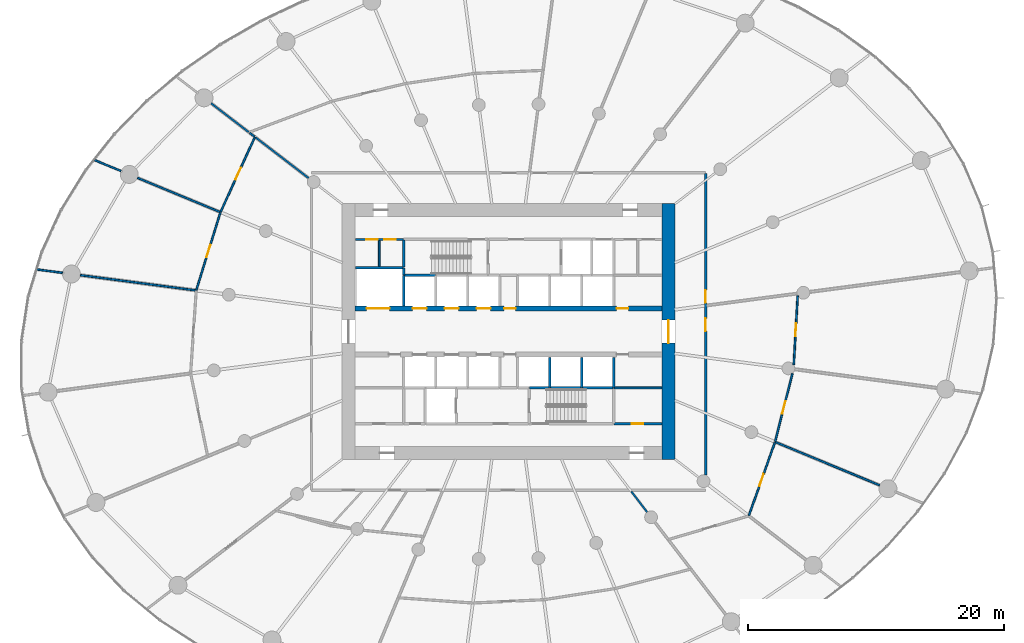
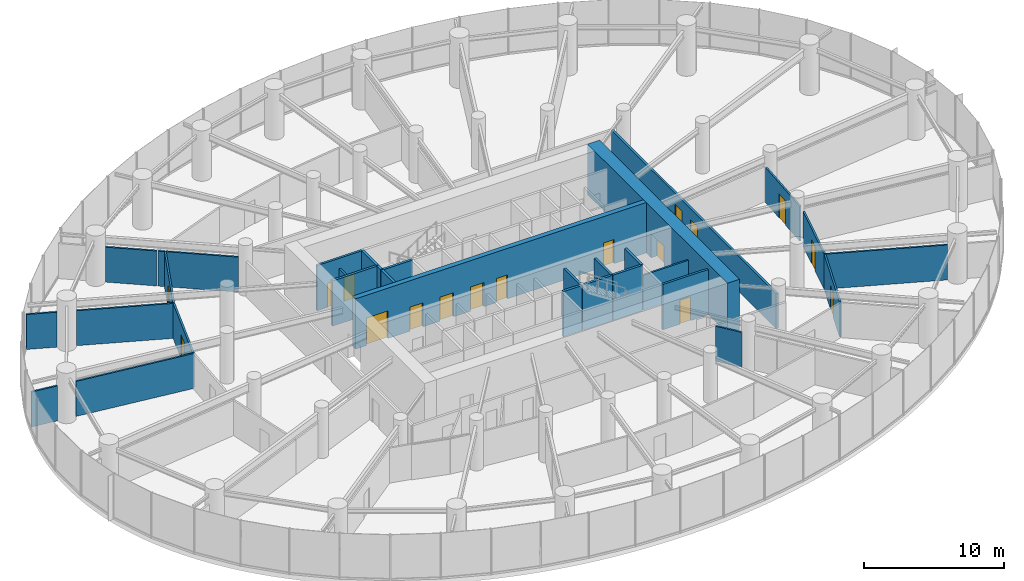
# One storey, part 14 of 19: 32 walls, 17 doors, 17 openings.
"""IFC4 building model written with IfcOpenShell, lengths in metres."""

import ifcopenshell
import ifcopenshell.guid

model = None  # the IFC model being written
_history = None  # IfcOwnerHistory: only IFC2X3 demands one
_inside = {}  # id of a spatial element -> (the spatial element, [elements in it])
_under = {}  # id of a project, library or spatial element -> (it, [spatial elements below it])
_declared = {}  # id of a project -> (the project, [libraries it declares])
_typed = {}  # id of a type object -> (the type object, [elements of that type])
_made_of = {}  # id of a material, layer set ... -> (it, [elements and type objects made of it])


def new_model(schema):
    """Start an empty IFC model of exactly this schema.

    Asked for "IFC4X3", IfcOpenShell would pick the latest addendum, in which some entities
    have other attributes; the version numbers below select the first issue.
    IFC2X3 requires an IfcOwnerHistory on every rooted entity: one is made here for all.
    """
    global model, _history
    if schema == "IFC4X3":
        model = ifcopenshell.file(schema_version=(4, 3, 0, 0))
    else:
        model = ifcopenshell.file(schema=schema)
    _inside.clear()
    _under.clear()
    _declared.clear()
    _typed.clear()
    _made_of.clear()
    _history = None
    if model.schema == "IFC2X3":
        org = make("IfcOrganization", Name="unknown")
        user = make(
            "IfcPersonAndOrganization",
            ThePerson=make("IfcPerson", FamilyName="unknown"),
            TheOrganization=org,
        )
        app = make(
            "IfcApplication",
            ApplicationDeveloper=org,
            Version="unknown",
            ApplicationFullName="unknown",
            ApplicationIdentifier="unknown",
        )
        _history = make(
            "IfcOwnerHistory",
            OwningUser=user,
            OwningApplication=app,
            ChangeAction="ADDED",
            CreationDate=0,
        )
    return model


def make(cls, **values):
    """One entity of the class cls with the attributes given. An attribute that is None is left unset."""
    return model.create_entity(
        cls, **{name: value for name, value in values.items() if value is not None}
    )


def rooted(cls, **values):
    """An entity with a GlobalId (a new one), such as an element, a storey or a relation."""
    return make(cls, GlobalId=ifcopenshell.guid.new(), OwnerHistory=_history, **values)


def si_unit(unit_type, name, prefix=None):
    """IfcSIUnit, for example si_unit("LENGTHUNIT", "METRE", prefix="MILLI")."""
    return make("IfcSIUnit", UnitType=unit_type, Prefix=prefix, Name=name)


def assignment(units):
    """IfcUnitAssignment: the units of a project."""
    return None if units is None else make("IfcUnitAssignment", Units=units)


def point(xyz):
    """IfcCartesianPoint."""
    return None if xyz is None else make("IfcCartesianPoint", Coordinates=xyz)


def direction(xyz):
    """IfcDirection."""
    return None if xyz is None else make("IfcDirection", DirectionRatios=xyz)


def frame(location, z_axis=None, x_axis=None):
    """IfcAxis2Placement3D, a coordinate frame: its origin and axes. An axis left out is left unset."""
    return make(
        "IfcAxis2Placement3D",
        Location=point(location),
        Axis=direction(z_axis),
        RefDirection=direction(x_axis),
    )


def frame_2d(location, x_axis=None):
    """IfcAxis2Placement2D, a coordinate frame in the plane: its origin and x axis."""
    return make(
        "IfcAxis2Placement2D", Location=point(location), RefDirection=direction(x_axis)
    )


def origin():
    """The frame at (0, 0, 0) with its axes left unset."""
    return frame((0.0, 0.0, 0.0))


def place(relative_to, where):
    """IfcLocalPlacement: puts the frame where relative to a parent placement (None: the world)."""
    return make(
        "IfcLocalPlacement", PlacementRelTo=relative_to, RelativePlacement=where
    )


def context(
    kind, dimensions, precision=None, world=None, true_north=None, identifier=None
):
    """IfcGeometricRepresentationContext, for example the 3D "Model" context."""
    return make(
        "IfcGeometricRepresentationContext",
        ContextIdentifier=identifier,
        ContextType=kind,
        CoordinateSpaceDimension=dimensions,
        Precision=precision,
        WorldCoordinateSystem=world,
        TrueNorth=true_north,
    )


def subcontext(parent, identifier, kind, view, scale=None):
    """IfcGeometricRepresentationSubContext, for example "Body" below "Model"."""
    return make(
        "IfcGeometricRepresentationSubContext",
        ContextIdentifier=identifier,
        ContextType=kind,
        ParentContext=parent,
        TargetScale=scale,
        TargetView=view,
    )


def project(units=None, contexts=None):
    """IfcProject with its units and contexts."""
    return rooted(
        "IfcProject",
        Name="project",
        RepresentationContexts=contexts,
        UnitsInContext=assignment(units),
    )


def spatial(cls, under=None, at=None, **own):
    """A site, building, storey or space (cls), placed at a placement, below another one or the project."""
    s = rooted(cls, ObjectPlacement=at, **own)
    if under is not None:
        _under.setdefault(under.id(), (under, []))[1].append(s)
    return s


def profile(cls, at=None, kind="AREA", **sizes):
    """A parametric profile (cls). Its sizes go by their IFC names, for example OverallWidth=200.0."""
    return make(cls, ProfileType=kind, Position=at, **sizes)


def rectangle(**sizes):
    """IfcRectangleProfileDef."""
    return profile("IfcRectangleProfileDef", **sizes)


def extrude(swept, where, along, depth):
    """IfcExtrudedAreaSolid: the profile swept, set in the frame where, extruded along a direction by depth."""
    return make(
        "IfcExtrudedAreaSolid",
        SweptArea=swept,
        Position=where,
        ExtrudedDirection=direction(along),
        Depth=depth,
    )


def shape(context_of_items, identifier, shape_type, items):
    """IfcShapeRepresentation: the items that make up one representation, for example the "Body"."""
    return make(
        "IfcShapeRepresentation",
        ContextOfItems=context_of_items,
        RepresentationIdentifier=identifier,
        RepresentationType=shape_type,
        Items=items,
    )


def source(mapping_origin, context_of_items, identifier, shape_type, items):
    """IfcRepresentationMap: a shape defined once, which mapped items show again and again."""
    return make(
        "IfcRepresentationMap",
        MappingOrigin=mapping_origin,
        MappedRepresentation=shape(context_of_items, identifier, shape_type, items),
    )


def transform(
    local_origin,
    x_axis=None,
    y_axis=None,
    z_axis=None,
    scale=None,
    scale2=None,
    scale3=None,
    uniform=True,
):
    """IfcCartesianTransformationOperator3D, or its non-uniform kind. x_axis, y_axis, z_axis: its Axis1, 2, 3."""
    if uniform:
        return make(
            "IfcCartesianTransformationOperator3D",
            Axis1=direction(x_axis),
            Axis2=direction(y_axis),
            LocalOrigin=point(local_origin),
            Scale=scale,
            Axis3=direction(z_axis),
        )
    return make(
        "IfcCartesianTransformationOperator3DnonUniform",
        Axis1=direction(x_axis),
        Axis2=direction(y_axis),
        LocalOrigin=point(local_origin),
        Scale=scale,
        Axis3=direction(z_axis),
        Scale2=scale2,
        Scale3=scale3,
    )


def mapped(mapping_source, mapping_target):
    """IfcMappedItem: shows the shape of a source again, moved by a transform."""
    return make(
        "IfcMappedItem", MappingSource=mapping_source, MappingTarget=mapping_target
    )


def material(Name=None, Category=None):
    """IfcMaterial."""
    return make("IfcMaterial", Name=Name, Category=Category)


def layer(
    of_material, thickness, ventilated=None, Name=None, Category=None, Priority=None
):
    """IfcMaterialLayer: one layer of a wall or slab, of a material (None: an air gap)."""
    return make(
        "IfcMaterialLayer",
        Material=of_material,
        LayerThickness=thickness,
        IsVentilated=ventilated,
        Name=Name,
        Category=Category,
        Priority=Priority,
    )


def layer_set(layers, Name=None):
    """IfcMaterialLayerSet."""
    return make("IfcMaterialLayerSet", MaterialLayers=layers, LayerSetName=Name)


def made_of(thing, what):
    """Note that an element or type object is made of a material, layer set ...; save() writes the relation."""
    if what is not None:
        _made_of.setdefault(what.id(), (what, []))[1].append(thing)
    return thing


def type_object(cls, material=None, **own):
    """A type object (cls), such as IfcWallType, which elements share."""
    return made_of(rooted(cls, **own), material)


def element(
    cls,
    number,
    at=None,
    inside=None,
    cuts=None,
    type_object=None,
    material=None,
    context=None,
    identifier="Body",
    shape_type=None,
    held_by="IfcProductDefinitionShape",
    body=None,
    shapes=None,
    **own,
):
    """One element of the class cls, such as IfcWall. Its Tag is "e" and its number.

    at: its placement. inside: the storey or other place that contains it. cuts: it is an
    opening in that element (IfcRelVoidsElement). A single representation is given by context,
    identifier, shape_type and body (its items); several are given by shapes. held_by: the class
    of the entity that holds the representations. save() writes the other relations.
    """
    e = rooted(cls, Tag="e%d" % number, ObjectPlacement=at, **own)
    if body is not None:
        shapes = [shape(context, identifier, shape_type, body)]
    if shapes is not None:
        e.Representation = make(held_by, Representations=shapes)
    if inside is not None:
        _inside.setdefault(inside.id(), (inside, []))[1].append(e)
    if cuts is not None:
        rooted(
            "IfcRelVoidsElement", RelatingBuildingElement=cuts, RelatedOpeningElement=e
        )
    if type_object is not None:
        _typed.setdefault(type_object.id(), (type_object, []))[1].append(e)
    return made_of(e, material)


def fill(opening, filler):
    """IfcRelFillsElement: the door or window that sits in an opening."""
    return rooted(
        "IfcRelFillsElement",
        RelatingOpeningElement=opening,
        RelatedBuildingElement=filler,
    )


def aggregate(whole, parts):
    """IfcRelAggregates: a whole, such as a stair, and the parts it consists of."""
    return rooted("IfcRelAggregates", RelatingObject=whole, RelatedObjects=parts)


def save(model, path):
    """Write the relations noted so far, then the file.

    IfcRelAggregates (storeys below a building ...), IfcRelContainedInSpatialStructure (elements
    in a storey), IfcRelDefinesByType, IfcRelAssociatesMaterial and IfcRelDeclares: one each for
    every whole, place, type object, material and project.
    """
    for whole, parts in _under.values():
        aggregate(whole, parts)
    for where, things in _inside.values():
        rooted(
            "IfcRelContainedInSpatialStructure",
            RelatedElements=things,
            RelatingStructure=where,
        )
    for kind, things in _typed.values():
        rooted("IfcRelDefinesByType", RelatedObjects=things, RelatingType=kind)
    for what, things in _made_of.values():
        rooted("IfcRelAssociatesMaterial", RelatedObjects=things, RelatingMaterial=what)
    for by, libraries in _declared.values():
        rooted("IfcRelDeclares", RelatingContext=by, RelatedDefinitions=libraries)
    model.write(path)


model = new_model("IFC4")

# Units and contexts
model_context = context("Model", 3, precision=1e-05, world=origin(), true_north=direction((0.0, 1.0)))
body_context = subcontext(model_context, "Body", "Model", "MODEL_VIEW")
ifc_project = project(units=[si_unit("LENGTHUNIT", "METRE"), si_unit("AREAUNIT", "SQUARE_METRE"), si_unit("VOLUMEUNIT", "CUBIC_METRE"), si_unit("PLANEANGLEUNIT", "RADIAN"), si_unit("MASSUNIT", "GRAM", prefix="KILO")], contexts=[model_context])

# Site, building, storey
site_placement = place(None, origin())
site = spatial("IfcSite", under=ifc_project, at=site_placement, CompositionType="ELEMENT")
building_placement = place(site_placement, origin())
building = spatial("IfcBuilding", under=site, at=building_placement, Name="Spindrift Exchange Tower", CompositionType="ELEMENT")
storey_placement = place(building_placement, frame((0.0, 0.0, 44.60009765625)))
storey = spatial("IfcBuildingStorey", under=building, at=storey_placement, Name="L10", CompositionType="ELEMENT", Elevation=44.60009765625)

# Wall, opening, door
ifc_material_1 = material(Name="Concrete 80 MPa", Category="concrete")
ifc_layer_1 = layer(ifc_material_1, 1.0)
ifc_layer_set_1 = layer_set([ifc_layer_1], Name="RC Core Wall 1000 Concrete 80 MPa")
wall_type_1 = type_object("IfcWallType", Name="RC Core Wall 1000 Concrete 80 MPa", PredefinedType="SHEAR", material=ifc_layer_set_1)
wall_1_placement = place(storey_placement, frame((64.5, 38.0, 0.0), z_axis=(0.0, 0.0, 1.0), x_axis=(0.0, 1.0, 0.0)))
wall_1 = element("IfcWall", 1, at=wall_1_placement, inside=storey, type_object=wall_type_1, Name="Core wall E L10", PredefinedType="SHEAR", context=body_context, shape_type="SweptSolid", body=[
    extrude(rectangle(XDim=20.0, YDim=1.0, at=frame_2d((10.0, 0.0))), origin(), (0.0, 0.0, 1.0), 4.39990234375),
])
opening_1_placement = place(wall_1_placement, frame((9.10009765625, 0.0, 0.0)))
opening_1 = element("IfcOpeningElement", 2, at=opening_1_placement, cuts=wall_1, Name="Opening L10-D2", PredefinedType="OPENING", context=body_context, shape_type="SweptSolid", body=[
    extrude(rectangle(XDim=1.800048828125, YDim=2.10009765625, at=frame_2d((0.89990234375, 1.050048828125))), frame((0.0, 0.510009765625, 0.0), z_axis=(0.0, -1.0, 0.0), x_axis=(1.0, 0.0, 0.0)), (0.0, 0.0, 1.0), 1.02001953125),
])
ifc_material_2 = material(Name="Timber-core fire door", Category="wood")
door_type_1 = type_object("IfcDoorType", Name="DR-LOBBY-1800", OperationType="NOTDEFINED", PredefinedType="DOOR", material=ifc_material_2)
shared_shape_1 = source(origin(), body_context, "Body", "SweptSolid", [
    extrude(rectangle(XDim=1.800048828125, YDim=2.10009765625, at=frame_2d((0.89990234375, 1.050048828125))), frame((0.0, 0.02490234375, 0.0), z_axis=(0.0, -1.0, 0.0), x_axis=(1.0, 0.0, 0.0)), (0.0, 0.0, 1.0), 0.050048828125),
])
door_1_placement = place(opening_1_placement, origin())
door_1 = element("IfcDoor", 3, at=door_1_placement, inside=storey, type_object=door_type_1, Name="L10 Lobby door 2", OperationType="SINGLE_SWING_LEFT", OverallHeight=2.10009765625, OverallWidth=1.800048828125, PredefinedType="DOOR", context=body_context, shape_type="MappedRepresentation", body=[
    mapped(shared_shape_1, transform((0.0, 0.0, 0.0), scale=1.0)),
])
fill(opening_1, door_1)

# Wall, openings, doors
ifc_layer_2 = layer(ifc_material_1, 0.39990234375)
ifc_layer_set_2 = layer_set([ifc_layer_2], Name="RC Spine Wall 400 Concrete 80 MPa")
wall_type_2 = type_object("IfcWallType", Name="RC Spine Wall 400 Concrete 80 MPa", PredefinedType="SHEAR", material=ifc_layer_set_2)
wall_2_placement = place(storey_placement, frame((40.0, 49.800048828125, 0.0), z_axis=(0.0, 0.0, 1.0), x_axis=(1.0, 0.0, 0.0)))
wall_2 = element("IfcWall", 4, at=wall_2_placement, inside=storey, type_object=wall_type_2, Name="Core spine wall N L10", PredefinedType="SHEAR", context=body_context, shape_type="SweptSolid", body=[
    extrude(rectangle(XDim=24.0, YDim=0.39990234375, at=frame_2d((12.0, 0.0))), origin(), (0.0, 0.0, 1.0), 4.39990234375),
])
opening_2_placement = place(wall_2_placement, frame((4.5, 0.0, 0.0)))
opening_2 = element("IfcOpeningElement", 5, at=opening_2_placement, cuts=wall_2, Name="Opening L10-D3", PredefinedType="OPENING", context=body_context, shape_type="SweptSolid", body=[
    extrude(rectangle(XDim=1.10009765625, YDim=2.10009765625, at=frame_2d((0.550048828125, 1.050048828125))), frame((0.0, 0.2099609375, 0.0), z_axis=(0.0, -1.0, 0.0), x_axis=(1.0, 0.0, 0.0)), (0.0, 0.0, 1.0), 0.419921875),
])
opening_3_placement = place(wall_2_placement, frame((7.0, 0.0, 0.0)))
opening_3 = element("IfcOpeningElement", 6, at=opening_3_placement, cuts=wall_2, Name="Opening L10-D4", PredefinedType="OPENING", context=body_context, shape_type="SweptSolid", body=[
    extrude(rectangle(XDim=1.10009765625, YDim=2.10009765625, at=frame_2d((0.550048828125, 1.050048828125))), frame((0.0, 0.2099609375, 0.0), z_axis=(0.0, -1.0, 0.0), x_axis=(1.0, 0.0, 0.0)), (0.0, 0.0, 1.0), 0.419921875),
])
opening_4_placement = place(wall_2_placement, frame((9.5, 0.0, 0.0)))
opening_4 = element("IfcOpeningElement", 7, at=opening_4_placement, cuts=wall_2, Name="Opening L10-D5", PredefinedType="OPENING", context=body_context, shape_type="SweptSolid", body=[
    extrude(rectangle(XDim=1.10009765625, YDim=2.10009765625, at=frame_2d((0.550048828125, 1.050048828125))), frame((0.0, 0.2099609375, 0.0), z_axis=(0.0, -1.0, 0.0), x_axis=(1.0, 0.0, 0.0)), (0.0, 0.0, 1.0), 0.419921875),
])
opening_5_placement = place(wall_2_placement, frame((0.89990234375, 0.0, 0.0)))
opening_5 = element("IfcOpeningElement", 8, at=opening_5_placement, cuts=wall_2, Name="Opening L10-D12", PredefinedType="OPENING", context=body_context, shape_type="SweptSolid", body=[
    extrude(rectangle(XDim=1.800048828125, YDim=2.39990234375, at=frame_2d((0.89990234375, 1.199951171875))), frame((0.0, 0.2099609375, 0.0), z_axis=(0.0, -1.0, 0.0), x_axis=(1.0, 0.0, 0.0)), (0.0, 0.0, 1.0), 0.419921875),
])
opening_6_placement = place(wall_2_placement, frame((20.449951171875, 0.0, 0.0)))
opening_6 = element("IfcOpeningElement", 9, at=opening_6_placement, cuts=wall_2, Name="Opening L10-D50", PredefinedType="OPENING", context=body_context, shape_type="SweptSolid", body=[
    extrude(rectangle(XDim=0.89990234375, YDim=2.10009765625, at=frame_2d((0.449951171875, 1.050048828125))), frame((0.0, 0.2099609375, 0.0), z_axis=(0.0, -1.0, 0.0), x_axis=(1.0, 0.0, 0.0)), (0.0, 0.0, 1.0), 0.419921875),
])
opening_7_placement = place(wall_2_placement, frame((11.64990234375, 0.0, 0.0)))
opening_7 = element("IfcOpeningElement", 10, at=opening_7_placement, cuts=wall_2, Name="Opening L10-D55", PredefinedType="OPENING", context=body_context, shape_type="SweptSolid", body=[
    extrude(rectangle(XDim=0.89990234375, YDim=2.10009765625, at=frame_2d((0.449951171875, 1.050048828125))), frame((0.0, 0.2099609375, 0.0), z_axis=(0.0, -1.0, 0.0), x_axis=(1.0, 0.0, 0.0)), (0.0, 0.0, 1.0), 0.419921875),
])
ifc_material_3 = material(Name="Stainless steel landing door", Category="steel")
door_type_2 = type_object("IfcDoorType", Name="DR-LANDING-1100-SL", OperationType="DOUBLE_DOOR_SLIDING", PredefinedType="USERDEFINED", material=ifc_material_3)
shared_shape_2 = source(origin(), body_context, "Body", "SweptSolid", [
    extrude(rectangle(XDim=1.10009765625, YDim=2.10009765625, at=frame_2d((0.550048828125, 1.050048828125))), frame((0.0, 0.02490234375, 0.0), z_axis=(0.0, -1.0, 0.0), x_axis=(1.0, 0.0, 0.0)), (0.0, 0.0, 1.0), 0.050048828125),
])
door_2_placement = place(opening_2_placement, origin())
door_2 = element("IfcDoor", 11, at=door_2_placement, inside=storey, type_object=door_type_2, Name="L10 Lift landing door 3", ObjectType="LANDING DOOR", OperationType="DOUBLE_DOOR_SLIDING", OverallHeight=2.10009765625, OverallWidth=1.10009765625, PredefinedType="USERDEFINED", context=body_context, shape_type="MappedRepresentation", body=[
    mapped(shared_shape_2, transform((0.0, 0.0, 0.0), scale=1.0)),
])
fill(opening_2, door_2)
door_3_placement = place(opening_3_placement, origin())
door_3 = element("IfcDoor", 12, at=door_3_placement, inside=storey, type_object=door_type_2, Name="L10 Lift landing door 4", ObjectType="LANDING DOOR", OperationType="DOUBLE_DOOR_SLIDING", OverallHeight=2.10009765625, OverallWidth=1.10009765625, PredefinedType="USERDEFINED", context=body_context, shape_type="MappedRepresentation", body=[
    mapped(shared_shape_2, transform((0.0, 0.0, 0.0), scale=1.0)),
])
fill(opening_3, door_3)
door_4_placement = place(opening_4_placement, origin())
door_4 = element("IfcDoor", 13, at=door_4_placement, inside=storey, type_object=door_type_2, Name="L10 Lift landing door 5", ObjectType="LANDING DOOR", OperationType="DOUBLE_DOOR_SLIDING", OverallHeight=2.10009765625, OverallWidth=1.10009765625, PredefinedType="USERDEFINED", context=body_context, shape_type="MappedRepresentation", body=[
    mapped(shared_shape_2, transform((0.0, 0.0, 0.0), scale=1.0)),
])
fill(opening_4, door_4)
door_type_3 = type_object("IfcDoorType", Name="DR-LANDING-1800-SL", OperationType="DOUBLE_DOOR_SLIDING", PredefinedType="USERDEFINED", material=ifc_material_3)
shared_shape_3 = source(origin(), body_context, "Body", "SweptSolid", [
    extrude(rectangle(XDim=1.800048828125, YDim=2.39990234375, at=frame_2d((0.89990234375, 1.199951171875))), frame((0.0, 0.02490234375, 0.0), z_axis=(0.0, -1.0, 0.0), x_axis=(1.0, 0.0, 0.0)), (0.0, 0.0, 1.0), 0.050048828125),
])
door_5_placement = place(opening_5_placement, origin())
door_5 = element("IfcDoor", 14, at=door_5_placement, inside=storey, type_object=door_type_3, Name="L10 Lift landing door 12", ObjectType="LANDING DOOR", OperationType="DOUBLE_DOOR_SLIDING", OverallHeight=2.39990234375, OverallWidth=1.800048828125, PredefinedType="USERDEFINED", context=body_context, shape_type="MappedRepresentation", body=[
    mapped(shared_shape_3, transform((0.0, 0.0, 0.0), scale=1.0)),
])
fill(opening_5, door_5)
ifc_material_4 = material(Name="Steel access door", Category="steel")
door_type_4 = type_object("IfcDoorType", Name="DR-RISER-900", OperationType="NOTDEFINED", PredefinedType="DOOR", material=ifc_material_4)
shared_shape_4 = source(origin(), body_context, "Body", "SweptSolid", [
    extrude(rectangle(XDim=0.89990234375, YDim=2.10009765625, at=frame_2d((0.449951171875, 1.050048828125))), frame((0.0, 0.02490234375, 0.0), z_axis=(0.0, -1.0, 0.0), x_axis=(1.0, 0.0, 0.0)), (0.0, 0.0, 1.0), 0.050048828125),
])
door_6_placement = place(opening_6_placement, origin())
door_6 = element("IfcDoor", 15, at=door_6_placement, inside=storey, type_object=door_type_4, Name="L10 Riser door 50", OperationType="SINGLE_SWING_LEFT", OverallHeight=2.10009765625, OverallWidth=0.89990234375, PredefinedType="DOOR", context=body_context, shape_type="MappedRepresentation", body=[
    mapped(shared_shape_4, transform((0.0, 0.0, 0.0), scale=1.0)),
])
fill(opening_6, door_6)
door_7_placement = place(opening_7_placement, origin())
door_7 = element("IfcDoor", 16, at=door_7_placement, inside=storey, type_object=door_type_4, Name="L10 Riser door 55", OperationType="SINGLE_SWING_RIGHT", OverallHeight=2.10009765625, OverallWidth=0.89990234375, PredefinedType="DOOR", context=body_context, shape_type="MappedRepresentation", body=[
    mapped(shared_shape_4, transform((0.0, 0.0, 0.0), scale=1.0)),
])
fill(opening_7, door_7)

ifc_material_5 = material(Name="Fire-rated plasterboard partition", Category="gypsum")
ifc_layer_3 = layer(ifc_material_5, 0.179931640625)
ifc_layer_set_3 = layer_set([ifc_layer_3], Name="W-CORR-180")
wall_type_3 = type_object("IfcWallType", Name="W-CORR-180", PredefinedType="PARTITIONING", material=ifc_layer_set_3)
wall_3_placement = place(storey_placement, frame((67.39990234375, 60.3701171875, 0.0), z_axis=(0.0, 0.0, 1.0), x_axis=(0.0, -1.0, 0.0)))
wall_3 = element("IfcWall", 17, at=wall_3_placement, inside=storey, type_object=wall_type_3, Name="L10 Partition wall 59", PredefinedType="PARTITIONING", context=body_context, shape_type="SweptSolid", body=[
    extrude(rectangle(XDim=23.58251953125, YDim=0.179931640625, at=frame_2d((11.791259765625, 0.0))), origin(), (0.0, 0.0, 1.0), 3.0498046875),
])
opening_8_placement = place(wall_3_placement, frame((11.33251953125, 0.0, 0.0)))
opening_8 = element("IfcOpeningElement", 18, at=opening_8_placement, cuts=wall_3, Name="Opening L10-D30", PredefinedType="OPENING", context=body_context, shape_type="SweptSolid", body=[
    extrude(rectangle(XDim=1.0, YDim=2.10009765625, at=frame_2d((0.5, 1.050048828125))), frame((0.0, 0.099853515625, 0.0), z_axis=(0.0, -1.0, 0.0), x_axis=(1.0, 0.0, 0.0)), (0.0, 0.0, 1.0), 0.199951171875),
])
opening_9_placement = place(wall_3_placement, frame((9.132568359375, 0.0, 0.0)))
opening_9 = element("IfcOpeningElement", 19, at=opening_9_placement, cuts=wall_3, Name="Opening L10-D35", PredefinedType="OPENING", context=body_context, shape_type="SweptSolid", body=[
    extrude(rectangle(XDim=1.0, YDim=2.10009765625, at=frame_2d((0.5, 1.050048828125))), frame((0.0, 0.099853515625, 0.0), z_axis=(0.0, -1.0, 0.0), x_axis=(1.0, 0.0, 0.0)), (0.0, 0.0, 1.0), 0.199951171875),
])
door_type_5 = type_object("IfcDoorType", Name="DR-ROOM-1000", OperationType="NOTDEFINED", PredefinedType="DOOR", material=ifc_material_2)
shared_shape_5 = source(origin(), body_context, "Body", "SweptSolid", [
    extrude(rectangle(XDim=1.0, YDim=2.10009765625, at=frame_2d((0.5, 1.050048828125))), frame((0.0, 0.02490234375, 0.0), z_axis=(0.0, -1.0, 0.0), x_axis=(1.0, 0.0, 0.0)), (0.0, 0.0, 1.0), 0.050048828125),
])
door_8_placement = place(opening_8_placement, origin())
door_8 = element("IfcDoor", 20, at=door_8_placement, inside=storey, type_object=door_type_5, Name="L10 Door 30", OperationType="SINGLE_SWING_LEFT", OverallHeight=2.10009765625, OverallWidth=1.0, PredefinedType="DOOR", context=body_context, shape_type="MappedRepresentation", body=[
    mapped(shared_shape_5, transform((0.0, 0.0, 0.0), scale=1.0)),
])
fill(opening_8, door_8)
door_9_placement = place(opening_9_placement, origin())
door_9 = element("IfcDoor", 21, at=door_9_placement, inside=storey, type_object=door_type_5, Name="L10 Door 35", OperationType="SINGLE_SWING_RIGHT", OverallHeight=2.10009765625, OverallWidth=1.0, PredefinedType="DOOR", context=body_context, shape_type="MappedRepresentation", body=[
    mapped(shared_shape_5, transform((0.0, 0.0, 0.0), scale=1.0)),
])
fill(opening_9, door_9)

wall_4_placement = place(storey_placement, frame((43.77001953125, 55.199951171875, 0.0), z_axis=(0.0, 0.0, 1.0), x_axis=(-1.0, 0.0, 0.0)))
wall_4 = element("IfcWall", 22, at=wall_4_placement, inside=storey, type_object=wall_type_3, Name="L10 Partition wall 62", PredefinedType="PARTITIONING", context=body_context, shape_type="SweptSolid", body=[
    extrude(rectangle(XDim=3.75, YDim=0.179931640625, at=frame_2d((1.875, 0.0))), origin(), (0.0, 0.0, 1.0), 3.949951171875),
])
opening_10_placement = place(wall_4_placement, frame((2.0, 0.0, 0.0)))
opening_10 = element("IfcOpeningElement", 23, at=opening_10_placement, cuts=wall_4, Name="Opening L10-D46", PredefinedType="OPENING", context=body_context, shape_type="SweptSolid", body=[
    extrude(rectangle(XDim=0.89990234375, YDim=2.10009765625, at=frame_2d((0.449951171875, 1.050048828125))), frame((0.0, 0.099853515625, 0.0), z_axis=(0.0, -1.0, 0.0), x_axis=(1.0, 0.0, 0.0)), (0.0, 0.0, 1.0), 0.199951171875),
])
opening_11_placement = place(wall_4_placement, frame((0.60009765625, 0.0, 0.0)))
opening_11 = element("IfcOpeningElement", 24, at=opening_11_placement, cuts=wall_4, Name="Opening L10-D47", PredefinedType="OPENING", context=body_context, shape_type="SweptSolid", body=[
    extrude(rectangle(XDim=0.89990234375, YDim=2.10009765625, at=frame_2d((0.449951171875, 1.050048828125))), frame((0.0, 0.099853515625, 0.0), z_axis=(0.0, -1.0, 0.0), x_axis=(1.0, 0.0, 0.0)), (0.0, 0.0, 1.0), 0.199951171875),
])
door_10_placement = place(opening_10_placement, origin())
door_10 = element("IfcDoor", 25, at=door_10_placement, inside=storey, type_object=door_type_4, Name="L10 Riser door 46", OperationType="SINGLE_SWING_LEFT", OverallHeight=2.10009765625, OverallWidth=0.89990234375, PredefinedType="DOOR", context=body_context, shape_type="MappedRepresentation", body=[
    mapped(shared_shape_4, transform((0.0, 0.0, 0.0), scale=1.0)),
])
fill(opening_10, door_10)
door_11_placement = place(opening_11_placement, origin())
door_11 = element("IfcDoor", 26, at=door_11_placement, inside=storey, type_object=door_type_4, Name="L10 Riser door 47", OperationType="SINGLE_SWING_RIGHT", OverallHeight=2.10009765625, OverallWidth=0.89990234375, PredefinedType="DOOR", context=body_context, shape_type="MappedRepresentation", body=[
    mapped(shared_shape_4, transform((0.0, 0.0, 0.0), scale=1.0)),
])
fill(opening_11, door_11)

# Wall, opening, door
wall_5_placement = place(storey_placement, frame((60.22998046875, 40.800048828125, 0.0), z_axis=(0.0, 0.0, 1.0), x_axis=(1.0, 0.0, 0.0)))
wall_5 = element("IfcWall", 27, at=wall_5_placement, inside=storey, type_object=wall_type_3, Name="L10 Partition wall 63", PredefinedType="PARTITIONING", context=body_context, shape_type="SweptSolid", body=[
    extrude(rectangle(XDim=3.75, YDim=0.179931640625, at=frame_2d((1.875, 0.0))), origin(), (0.0, 0.0, 1.0), 3.949951171875),
])
opening_12_placement = place(wall_5_placement, frame((1.39990234375, 0.0, 0.0)))
opening_12 = element("IfcOpeningElement", 28, at=opening_12_placement, cuts=wall_5, Name="Opening L10-D53", PredefinedType="OPENING", context=body_context, shape_type="SweptSolid", body=[
    extrude(rectangle(XDim=0.89990234375, YDim=2.10009765625, at=frame_2d((0.449951171875, 1.050048828125))), frame((0.0, 0.099853515625, 0.0), z_axis=(0.0, -1.0, 0.0), x_axis=(1.0, 0.0, 0.0)), (0.0, 0.0, 1.0), 0.199951171875),
])
door_12_placement = place(opening_12_placement, origin())
door_12 = element("IfcDoor", 29, at=door_12_placement, inside=storey, type_object=door_type_4, Name="L10 Riser door 53", OperationType="SINGLE_SWING_RIGHT", OverallHeight=2.10009765625, OverallWidth=0.89990234375, PredefinedType="DOOR", context=body_context, shape_type="MappedRepresentation", body=[
    mapped(shared_shape_4, transform((0.0, 0.0, 0.0), scale=1.0)),
])
fill(opening_12, door_12)

# Walls
ifc_layer_4 = layer(ifc_material_5, 0.139892578125)
ifc_layer_set_4 = layer_set([ifc_layer_4], Name="W-PART-140")
wall_type_4 = type_object("IfcWallType", Name="W-PART-140", PredefinedType="PARTITIONING", material=ifc_layer_set_4)
wall_6_placement = place(storey_placement, frame((27.58984375, 51.213623046875, 0.0), z_axis=(0.0, 0.0, 1.0), x_axis=(-0.991443735441, 0.13053474424, 0.0)))
element("IfcWall", 30, at=wall_6_placement, inside=storey, type_object=wall_type_4, Name="L10 Partition wall 70", PredefinedType="PARTITIONING", context=body_context, shape_type="SweptSolid", body=[
    extrude(rectangle(XDim=9.130859375, YDim=0.139892578125, at=frame_2d((4.5654296875, 0.0))), origin(), (0.0, 0.0, 1.0), 3.0498046875),
])
wall_7_placement = place(storey_placement, frame((72.8212890625, 39.37548828125, 0.0), z_axis=(0.0, 0.0, 1.0), x_axis=(0.923875203153, -0.382693884193, 0.0)))
element("IfcWall", 31, at=wall_7_placement, inside=storey, type_object=wall_type_4, Name="L10 Partition wall 72", PredefinedType="PARTITIONING", context=body_context, shape_type="SweptSolid", body=[
    extrude(rectangle(XDim=8.84521484375, YDim=0.139892578125, at=frame_2d((4.422607421875, 0.0))), origin(), (0.0, 0.0, 1.0), 3.0498046875),
])
wall_8_placement = place(storey_placement, frame((29.484375, 57.326416015625, 0.0), z_axis=(0.0, 0.0, 1.0), x_axis=(-0.923878476662, 0.3826859814, 0.0)))
element("IfcWall", 32, at=wall_8_placement, inside=storey, type_object=wall_type_4, Name="L10 Partition wall 75", PredefinedType="PARTITIONING", context=body_context, shape_type="SweptSolid", body=[
    extrude(rectangle(XDim=7.01123046875, YDim=0.139892578125, at=frame_2d((3.505615234375, 0.0))), origin(), (0.0, 0.0, 1.0), 3.0498046875),
])

# Wall, opening, door
wall_9_placement = place(storey_placement, frame((29.496826171875, 57.353515625, 0.0), z_axis=(0.0, 0.0, 1.0), x_axis=(0.416308805512, 0.909223283057, 0.0)))
wall_9 = element("IfcWall", 33, at=wall_9_placement, inside=storey, type_object=wall_type_4, Name="L10 Partition wall 81", PredefinedType="PARTITIONING", context=body_context, shape_type="SweptSolid", body=[
    extrude(rectangle(XDim=6.44091796875, YDim=0.139892578125, at=frame_2d((3.220458984375, 0.0))), origin(), (0.0, 0.0, 1.0), 3.0498046875),
])
opening_13_placement = place(wall_9_placement, frame((2.791015625, 0.0, 0.0)))
opening_13 = element("IfcOpeningElement", 34, at=opening_13_placement, cuts=wall_9, Name="Opening L10-D41", PredefinedType="OPENING", context=body_context, shape_type="SweptSolid", body=[
    extrude(rectangle(XDim=1.0, YDim=2.10009765625, at=frame_2d((0.5, 1.050048828125))), frame((0.0, 0.079833984375, 0.0), z_axis=(0.0, -1.0, 0.0), x_axis=(1.0, 0.0, 0.0)), (0.0, 0.0, 1.0), 0.159912109375),
])
door_13_placement = place(opening_13_placement, origin())
door_13 = element("IfcDoor", 35, at=door_13_placement, inside=storey, type_object=door_type_5, Name="L10 Door 41", OperationType="SINGLE_SWING_RIGHT", OverallHeight=2.10009765625, OverallWidth=1.0, PredefinedType="DOOR", context=body_context, shape_type="MappedRepresentation", body=[
    mapped(shared_shape_5, transform((0.0, 0.0, 0.0), scale=1.0)),
])
fill(opening_13, door_13)

wall_10_placement = place(storey_placement, frame((27.5986328125, 51.2421875, 0.0), z_axis=(0.0, 0.0, 1.0), x_axis=(0.296066096507, 0.95516745469, 0.0)))
wall_10 = element("IfcWall", 36, at=wall_10_placement, inside=storey, type_object=wall_type_4, Name="L10 Partition wall 82", PredefinedType="PARTITIONING", context=body_context, shape_type="SweptSolid", body=[
    extrude(rectangle(XDim=6.339599609375, YDim=0.139892578125, at=frame_2d((3.169921875, 0.0))), origin(), (0.0, 0.0, 1.0), 3.0498046875),
])
opening_14_placement = place(wall_10_placement, frame((2.689453125, 0.0, 0.0)))
opening_14 = element("IfcOpeningElement", 37, at=opening_14_placement, cuts=wall_10, Name="Opening L10-D42", PredefinedType="OPENING", context=body_context, shape_type="SweptSolid", body=[
    extrude(rectangle(XDim=1.0, YDim=2.10009765625, at=frame_2d((0.5, 1.050048828125))), frame((0.0, 0.079833984375, 0.0), z_axis=(0.0, -1.0, 0.0), x_axis=(1.0, 0.0, 0.0)), (0.0, 0.0, 1.0), 0.159912109375),
])
door_14_placement = place(opening_14_placement, origin())
door_14 = element("IfcDoor", 38, at=door_14_placement, inside=storey, type_object=door_type_5, Name="L10 Door 42", OperationType="SINGLE_SWING_LEFT", OverallHeight=2.10009765625, OverallWidth=1.0, PredefinedType="DOOR", context=body_context, shape_type="MappedRepresentation", body=[
    mapped(shared_shape_5, transform((0.0, 0.0, 0.0), scale=1.0)),
])
fill(opening_14, door_14)

wall_11_placement = place(storey_placement, frame((72.798095703125, 39.309326171875, 0.0), z_axis=(0.0, 0.0, 1.0), x_axis=(-0.334820387554, -0.942281968456, 0.0)))
wall_11 = element("IfcWall", 39, at=wall_11_placement, inside=storey, type_object=wall_type_4, Name="L10 Partition wall 83", PredefinedType="PARTITIONING", context=body_context, shape_type="SweptSolid", body=[
    extrude(rectangle(XDim=6.031005859375, YDim=0.139892578125, at=frame_2d((3.015625, 0.0))), origin(), (0.0, 0.0, 1.0), 3.0498046875),
])
opening_15_placement = place(wall_11_placement, frame((2.5810546875, 0.0, 0.0)))
opening_15 = element("IfcOpeningElement", 40, at=opening_15_placement, cuts=wall_11, Name="Opening L10-D32", PredefinedType="OPENING", context=body_context, shape_type="SweptSolid", body=[
    extrude(rectangle(XDim=1.0, YDim=2.10009765625, at=frame_2d((0.5, 1.050048828125))), frame((0.0, 0.079833984375, 0.0), z_axis=(0.0, -1.0, 0.0), x_axis=(1.0, 0.0, 0.0)), (0.0, 0.0, 1.0), 0.159912109375),
])
door_15_placement = place(opening_15_placement, origin())
door_15 = element("IfcDoor", 41, at=door_15_placement, inside=storey, type_object=door_type_5, Name="L10 Door 32", OperationType="SINGLE_SWING_LEFT", OverallHeight=2.10009765625, OverallWidth=1.0, PredefinedType="DOOR", context=body_context, shape_type="MappedRepresentation", body=[
    mapped(shared_shape_5, transform((0.0, 0.0, 0.0), scale=1.0)),
])
fill(opening_15, door_15)

wall_12_placement = place(storey_placement, frame((74.17822265625, 44.727294921875, 0.0), z_axis=(0.0, 0.0, 1.0), x_axis=(-0.245735490717, -0.969336922129, 0.0)))
wall_12 = element("IfcWall", 42, at=wall_12_placement, inside=storey, type_object=wall_type_4, Name="L10 Partition wall 92", PredefinedType="PARTITIONING", context=body_context, shape_type="SweptSolid", body=[
    extrude(rectangle(XDim=5.4912109375, YDim=0.139892578125, at=frame_2d((2.74560546875, 0.0))), origin(), (0.0, 0.0, 1.0), 3.0498046875),
])
opening_16_placement = place(wall_12_placement, frame((2.2412109375, 0.0, 0.0)))
opening_16 = element("IfcOpeningElement", 43, at=opening_16_placement, cuts=wall_12, Name="Opening L10-D33", PredefinedType="OPENING", context=body_context, shape_type="SweptSolid", body=[
    extrude(rectangle(XDim=1.0, YDim=2.10009765625, at=frame_2d((0.5, 1.050048828125))), frame((0.0, 0.079833984375, 0.0), z_axis=(0.0, -1.0, 0.0), x_axis=(1.0, 0.0, 0.0)), (0.0, 0.0, 1.0), 0.159912109375),
])
door_16_placement = place(opening_16_placement, origin())
door_16 = element("IfcDoor", 44, at=door_16_placement, inside=storey, type_object=door_type_5, Name="L10 Door 33", OperationType="SINGLE_SWING_RIGHT", OverallHeight=2.10009765625, OverallWidth=1.0, PredefinedType="DOOR", context=body_context, shape_type="MappedRepresentation", body=[
    mapped(shared_shape_5, transform((0.0, 0.0, 0.0), scale=1.0)),
])
fill(opening_16, door_16)

wall_13_placement = place(storey_placement, frame((74.589111328125, 50.793212890625, 0.0), z_axis=(0.0, 0.0, 1.0), x_axis=(-0.056551571082, -0.998399679391, 0.0)))
wall_13 = element("IfcWall", 45, at=wall_13_placement, inside=storey, type_object=wall_type_4, Name="L10 Partition wall 94", PredefinedType="PARTITIONING", context=body_context, shape_type="SweptSolid", body=[
    extrude(rectangle(XDim=5.400634765625, YDim=0.139892578125, at=frame_2d((2.7001953125, 0.0))), origin(), (0.0, 0.0, 1.0), 3.0498046875),
])
opening_17_placement = place(wall_13_placement, frame((2.150634765625, 0.0, 0.0)))
opening_17 = element("IfcOpeningElement", 46, at=opening_17_placement, cuts=wall_13, Name="Opening L10-D34", PredefinedType="OPENING", context=body_context, shape_type="SweptSolid", body=[
    extrude(rectangle(XDim=1.0, YDim=2.10009765625, at=frame_2d((0.5, 1.050048828125))), frame((0.0, 0.079833984375, 0.0), z_axis=(0.0, -1.0, 0.0), x_axis=(1.0, 0.0, 0.0)), (0.0, 0.0, 1.0), 0.159912109375),
])
door_17_placement = place(opening_17_placement, origin())
door_17 = element("IfcDoor", 47, at=door_17_placement, inside=storey, type_object=door_type_5, Name="L10 Door 34", OperationType="SINGLE_SWING_LEFT", OverallHeight=2.10009765625, OverallWidth=1.0, PredefinedType="DOOR", context=body_context, shape_type="MappedRepresentation", body=[
    mapped(shared_shape_5, transform((0.0, 0.0, 0.0), scale=1.0)),
])
fill(opening_17, door_17)

# Walls
wall_14_placement = place(storey_placement, frame((36.367431640625, 59.995361328125, 0.0), z_axis=(0.0, 0.0, 1.0), x_axis=(-0.793353550187, 0.608761155467, 0.0)))
element("IfcWall", 48, at=wall_14_placement, inside=storey, type_object=wall_type_4, Name="L10 Partition wall 96", PredefinedType="PARTITIONING", context=body_context, shape_type="SweptSolid", body=[
    extrude(rectangle(XDim=5.208251953125, YDim=0.139892578125, at=frame_2d((2.60400390625, 0.0))), origin(), (0.0, 0.0, 1.0), 3.0498046875),
])
wall_15_placement = place(storey_placement, frame((60.22998046875, 43.60009765625, 0.0), z_axis=(0.0, 0.0, 1.0), x_axis=(1.0, 0.0, 0.0)))
element("IfcWall", 49, at=wall_15_placement, inside=storey, type_object=wall_type_4, Name="L10 Partition wall 104", PredefinedType="PARTITIONING", context=body_context, shape_type="SweptSolid", body=[
    extrude(rectangle(XDim=3.75, YDim=0.139892578125, at=frame_2d((1.875, 0.0))), origin(), (0.0, 0.0, 1.0), 3.0498046875),
])
wall_16_placement = place(storey_placement, frame((31.68798828125, 63.5859375, 0.0), z_axis=(0.0, 0.0, 1.0), x_axis=(-0.793375408023, 0.608732668701, 0.0)))
element("IfcWall", 50, at=wall_16_placement, inside=storey, type_object=wall_type_4, Name="L10 Partition wall 105", PredefinedType="PARTITIONING", context=body_context, shape_type="SweptSolid", body=[
    extrude(rectangle(XDim=3.693115234375, YDim=0.139892578125, at=frame_2d((1.8466796875, 0.0))), origin(), (0.0, 0.0, 1.0), 3.0498046875),
])
wall_17_placement = place(storey_placement, frame((21.7041015625, 60.549072265625, 0.0), z_axis=(0.0, 0.0, 1.0), x_axis=(-0.923899948789, 0.382634139392, 0.0)))
element("IfcWall", 51, at=wall_17_placement, inside=storey, type_object=wall_type_4, Name="L10 Partition wall 113", PredefinedType="PARTITIONING", context=body_context, shape_type="SweptSolid", body=[
    extrude(rectangle(XDim=2.214599609375, YDim=0.139892578125, at=frame_2d((1.107421875, 0.0))), origin(), (0.0, 0.0, 1.0), 3.0498046875),
])
wall_18_placement = place(storey_placement, frame((41.89990234375, 53.10009765625, 0.0), z_axis=(0.0, 0.0, 1.0), x_axis=(0.0, 1.0, 0.0)))
element("IfcWall", 52, at=wall_18_placement, inside=storey, type_object=wall_type_4, Name="L10 Partition wall 114", PredefinedType="PARTITIONING", context=body_context, shape_type="SweptSolid", body=[
    extrude(rectangle(XDim=2.010009765625, YDim=0.139892578125, at=frame_2d((1.0048828125, 0.0))), origin(), (0.0, 0.0, 1.0), 3.0498046875),
])
wall_19_placement = place(storey_placement, frame((61.583984375, 35.510009765625, 0.0), z_axis=(0.0, 0.0, 1.0), x_axis=(0.608727763541, -0.793379171578, 0.0)))
element("IfcWall", 53, at=wall_19_placement, inside=storey, type_object=wall_type_4, Name="L10 Partition wall 116", PredefinedType="PARTITIONING", context=body_context, shape_type="SweptSolid", body=[
    extrude(rectangle(XDim=2.04150390625, YDim=0.139892578125, at=frame_2d((1.020751953125, 0.0))), origin(), (0.0, 0.0, 1.0), 3.0498046875),
])
wall_20_placement = place(storey_placement, frame((17.140625, 52.58935546875, 0.0), z_axis=(0.0, 0.0, 1.0), x_axis=(-0.991443960057, 0.130533038219, 0.0)))
element("IfcWall", 54, at=wall_20_placement, inside=storey, type_object=wall_type_4, Name="L10 Partition wall 118", PredefinedType="PARTITIONING", context=body_context, shape_type="SweptSolid", body=[
    extrude(rectangle(XDim=2.010498046875, YDim=0.139892578125, at=frame_2d((1.00537109375, 0.0))), origin(), (0.0, 0.0, 1.0), 3.0498046875),
])
wall_21_placement = place(storey_placement, frame((32.154541015625, 63.227783203125, 0.0), z_axis=(0.0, 0.0, 1.0), x_axis=(-0.793176766219, 0.608991475745, 0.0)))
element("IfcWall", 55, at=wall_21_placement, inside=storey, type_object=wall_type_4, Name="L10 Partition wall 135", PredefinedType="PARTITIONING", context=body_context, shape_type="SweptSolid", body=[
    extrude(rectangle(XDim=0.475830078125, YDim=0.139892578125, at=frame_2d((0.23779296875, 0.0))), origin(), (0.0, 0.0, 1.0), 3.0498046875),
])
ifc_material_6 = material(Name="Concrete 40 MPa", Category="concrete")
ifc_layer_5 = layer(ifc_material_6, 0.199951171875)
ifc_layer_set_5 = layer_set([ifc_layer_5], Name="W-SHAFT-200-LB")
wall_type_5 = type_object("IfcWallType", Name="W-SHAFT-200-LB", PredefinedType="SOLIDWALL", material=ifc_layer_set_5)
wall_22_placement = place(storey_placement, frame((43.800048828125, 53.0, 0.0), z_axis=(0.0, 0.0, 1.0), x_axis=(-1.0, 0.0, 0.0)))
element("IfcWall", 56, at=wall_22_placement, inside=storey, type_object=wall_type_5, Name="L10 Shaft wall 5", PredefinedType="SOLIDWALL", context=body_context, shape_type="SweptSolid", body=[
    extrude(rectangle(XDim=3.780029296875, YDim=0.199951171875, at=frame_2d((1.89013671875, 0.0))), origin(), (0.0, 0.0, 1.0), 3.949951171875),
])
for number, where, z_axis, x_axis, name in (
    (57, (46.300048828125, 52.39990234375, 0.0), (0.0, 0.0, 1.0), (-1.0, 0.0, 0.0), "L10 Shaft wall 15"),
    (58, (55.199951171875, 43.60009765625, 0.0), (0.0, 0.0, 1.0), (1.0, 0.0, 0.0), "L10 Shaft wall 19"),
):
    element("IfcWall", number, at=place(storey_placement, frame(where, z_axis=z_axis, x_axis=x_axis)), inside=storey, type_object=wall_type_5, Name=name, PredefinedType="SOLIDWALL", context=body_context, shape_type="SweptSolid", body=[
        extrude(rectangle(XDim=2.5, YDim=0.199951171875, at=frame_2d((1.25, 0.0))), origin(), (0.0, 0.0, 1.0), 3.949951171875),
    ])
wall_23_placement = place(storey_placement, frame((57.72998046875, 43.60009765625, 0.0), z_axis=(0.0, 0.0, 1.0), x_axis=(1.0, 0.0, 0.0)))
element("IfcWall", 59, at=wall_23_placement, inside=storey, type_object=wall_type_5, Name="L10 Shaft wall 20", PredefinedType="SOLIDWALL", context=body_context, shape_type="SweptSolid", body=[
    extrude(rectangle(XDim=2.43994140625, YDim=0.199951171875, at=frame_2d((1.219970703125, 0.0))), origin(), (0.0, 0.0, 1.0), 3.949951171875),
])
for number, where, z_axis, x_axis, name in (
    (60, (43.800048828125, 52.3701171875, 0.0), (0.0, 0.0, 1.0), (0.0, -1.0, 0.0), "L10 Shaft wall 24"),
    (61, (55.199951171875, 43.6298828125, 0.0), (0.0, 0.0, 1.0), (0.0, 1.0, 0.0), "L10 Shaft wall 33"),
    (62, (57.699951171875, 43.6298828125, 0.0), (0.0, 0.0, 1.0), (0.0, 1.0, 0.0), "L10 Shaft wall 35"),
    (63, (60.199951171875, 43.6298828125, 0.0), (0.0, 0.0, 1.0), (0.0, 1.0, 0.0), "L10 Shaft wall 37"),
):
    element("IfcWall", number, at=place(storey_placement, frame(where, z_axis=z_axis, x_axis=x_axis)), inside=storey, type_object=wall_type_5, Name=name, PredefinedType="SOLIDWALL", context=body_context, shape_type="SweptSolid", body=[
        extrude(rectangle(XDim=2.360107421875, YDim=0.199951171875, at=frame_2d((1.18017578125, 0.0))), origin(), (0.0, 0.0, 1.0), 3.949951171875),
    ])
wall_24_placement = place(storey_placement, frame((43.800048828125, 55.169921875, 0.0), z_axis=(0.0, 0.0, 1.0), x_axis=(0.0, -1.0, 0.0)))
element("IfcWall", 64, at=wall_24_placement, inside=storey, type_object=wall_type_5, Name="L10 Shaft wall 39", PredefinedType="SOLIDWALL", context=body_context, shape_type="SweptSolid", body=[
    extrude(rectangle(XDim=2.139892578125, YDim=0.199951171875, at=frame_2d((1.06982421875, 0.0))), origin(), (0.0, 0.0, 1.0), 3.949951171875),
])
wall_25_placement = place(storey_placement, frame((53.6298828125, 43.60009765625, 0.0), z_axis=(0.0, 0.0, 1.0), x_axis=(1.0, 0.0, 0.0)))
element("IfcWall", 65, at=wall_25_placement, inside=storey, type_object=wall_type_5, Name="L10 Shaft wall 46", PredefinedType="SOLIDWALL", context=body_context, shape_type="SweptSolid", body=[
    extrude(rectangle(XDim=1.5400390625, YDim=0.199951171875, at=frame_2d((0.77001953125, 0.0))), origin(), (0.0, 0.0, 1.0), 3.949951171875),
])
wall_26_placement = place(storey_placement, frame((43.800048828125, 52.429931640625, 0.0), z_axis=(0.0, 0.0, 1.0), x_axis=(0.0, 1.0, 0.0)))
element("IfcWall", 66, at=wall_26_placement, inside=storey, type_object=wall_type_5, Name="L10 Shaft wall 56", PredefinedType="SOLIDWALL", context=body_context, shape_type="SweptSolid", body=[
    extrude(rectangle(XDim=0.5400390625, YDim=0.199951171875, at=frame_2d((0.27001953125, 0.0))), origin(), (0.0, 0.0, 1.0), 3.949951171875),
])

save(model, "model.ifc")
